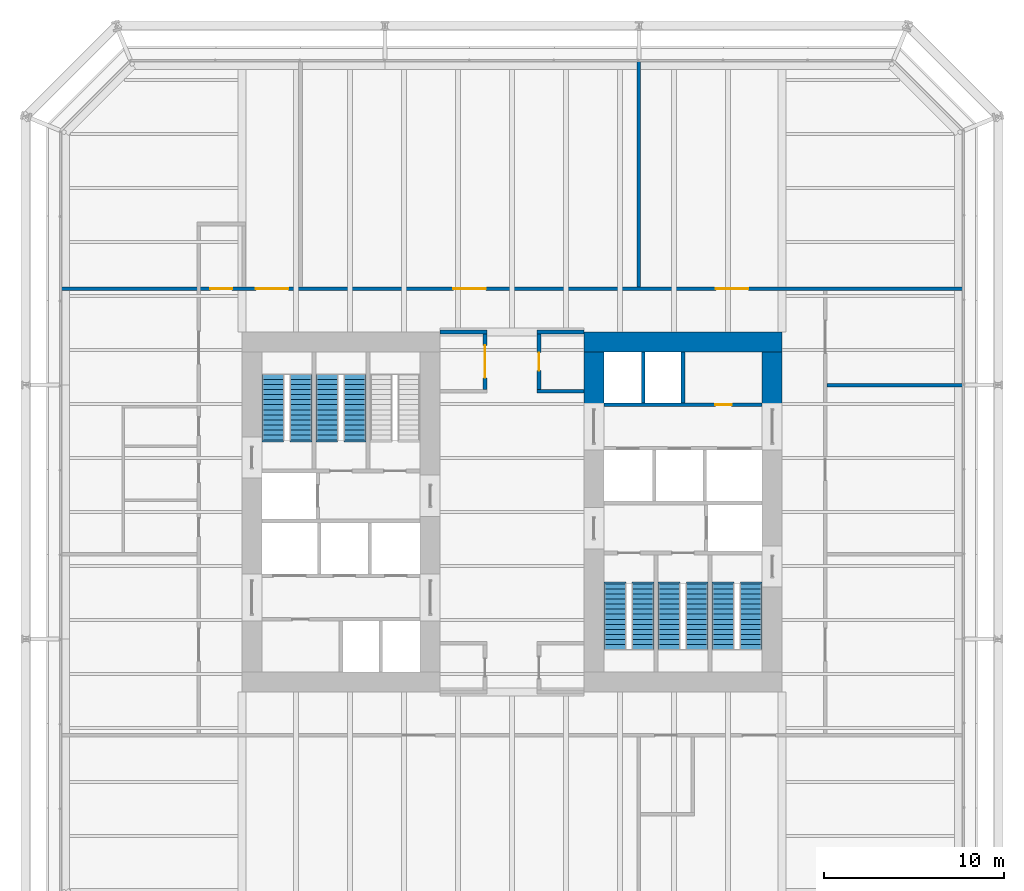
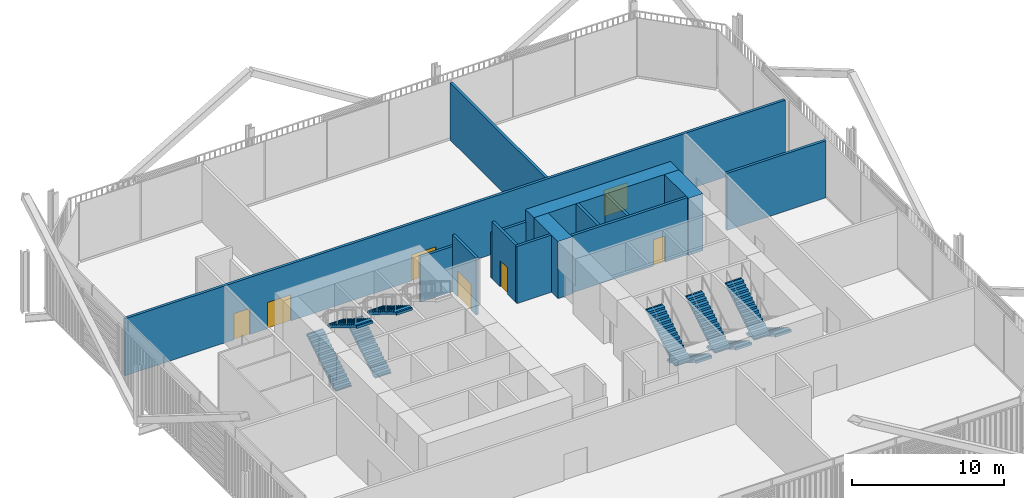
# One storey, part 20 of 22: 14 walls, 10 stair flights, 7 doors, 7 openings, 5 elements without a shape of their own.
"""IFC4 building model written with IfcOpenShell, lengths in metres."""

from ifc_helpers import new_model, si_unit, direction, frame, frame_2d, origin, place, context, subcontext, project, spatial, polyline, rectangle, outline, extrude, material, layer, layer_set, type_object, element, fill, aggregate, save


model = new_model("IFC4")

# Units and contexts
model_context = context("Model", 3, precision=1e-05, world=origin(), true_north=direction((0.0, 1.0)))
body_context = subcontext(model_context, "Body", "Model", "MODEL_VIEW")
ifc_project = project(units=[si_unit("LENGTHUNIT", "METRE"), si_unit("AREAUNIT", "SQUARE_METRE"), si_unit("VOLUMEUNIT", "CUBIC_METRE"), si_unit("PLANEANGLEUNIT", "RADIAN"), si_unit("MASSUNIT", "GRAM", prefix="KILO")], contexts=[model_context])

# Site, building, storey
site_placement = place(None, origin())
site = spatial("IfcSite", under=ifc_project, at=site_placement, CompositionType="ELEMENT")
building_placement = place(site_placement, origin())
building = spatial("IfcBuilding", under=site, at=building_placement, Name="Millrace Tower", CompositionType="ELEMENT")
storey_placement = place(building_placement, frame((0.0, 0.0, 54.5)))
storey = spatial("IfcBuildingStorey", under=building, at=storey_placement, Name="L12", CompositionType="ELEMENT", Elevation=54.5)

# Walls
ifc_material_1 = material(Name="Concrete C80", Category="concrete")
ifc_layer_1 = layer(ifc_material_1, 1.10009765625)
ifc_layer_set_1 = layer_set([ifc_layer_1], Name="Concrete C80")
wall_type_1 = type_object("IfcWallType", Name="Core wall 1100 Concrete C80", PredefinedType="SHEAR", material=ifc_layer_set_1)
wall_1_placement = place(storey_placement, frame((15.0, 9.449951171875, 0.0), z_axis=(0.0, 0.0, 1.0), x_axis=(-1.0, 0.0, 0.0)))
element("IfcWall", 1, at=wall_1_placement, inside=storey, type_object=wall_type_1, Name="Core wall E L12", PredefinedType="SHEAR", context=body_context, shape_type="SweptSolid", body=[
    extrude(rectangle(XDim=11.0, YDim=1.10009765625, at=frame_2d((5.5, 0.0))), origin(), (0.0, 0.0, 1.0), 4.574951171875),
])
for number, where, z_axis, x_axis, name in (
    (2, (14.449951171875, 8.89990234375, 0.0), (0.0, 0.0, 1.0), (0.0, -1.0, 0.0), "Core wall E L12"),
    (3, (4.550048828125, 8.89990234375, 0.0), (0.0, 0.0, 1.0), (0.0, -1.0, 0.0), "Core wall E L12"),
):
    element("IfcWall", number, at=place(storey_placement, frame(where, z_axis=z_axis, x_axis=x_axis)), inside=storey, type_object=wall_type_1, Name=name, PredefinedType="SHEAR", context=body_context, shape_type="SweptSolid", body=[
        extrude(rectangle(XDim=3.14990234375, YDim=1.10009765625, at=frame_2d((1.574951171875, 0.0))), origin(), (0.0, 0.0, 1.0), 4.574951171875),
    ])
ifc_material_2 = material(Name="Masonry partition, fire-rated", Category="masonry")
ifc_layer_2 = layer(ifc_material_2, 0.199951171875)
ifc_layer_set_2 = layer_set([ifc_layer_2], Name="Masonry partition, fire-rated")
wall_type_2 = type_object("IfcWallType", Name="Corridor wall 200", PredefinedType="PARTITIONING", material=ifc_layer_set_2)
wall_2_placement = place(storey_placement, frame((1.39990234375, 6.699951171875, 0.0), z_axis=(0.0, 0.0, 1.0), x_axis=(1.0, 0.0, 0.0)))
element("IfcWall", 4, at=wall_2_placement, inside=storey, type_object=wall_type_2, Name="Corridor wall L12", PredefinedType="PARTITIONING", context=body_context, shape_type="SweptSolid", body=[
    extrude(rectangle(XDim=2.60009765625, YDim=0.199951171875, at=frame_2d((1.300048828125, 0.0))), origin(), (0.0, 0.0, 1.0), 4.574951171875),
])
wall_3_placement = place(storey_placement, frame((17.5, 7.050048828125, 0.0), z_axis=(0.0, 0.0, 1.0), x_axis=(1.0, 0.0, 0.0)))
element("IfcWall", 5, at=wall_3_placement, inside=storey, type_object=wall_type_2, Name="Corridor wall L12", PredefinedType="PARTITIONING", context=body_context, shape_type="SweptSolid", body=[
    extrude(rectangle(XDim=7.530029296875, YDim=0.199951171875, at=frame_2d((3.76513671875, 0.0))), origin(), (0.0, 0.0, 1.0), 4.574951171875),
])
for number, where, z_axis, x_axis, name in (
    (6, (-4.0, 10.0, 0.0), (0.0, 0.0, 1.0), (1.0, 0.0, 0.0), "Corridor wall L12"),
    (7, (1.39990234375, 10.0, 0.0), (0.0, 0.0, 1.0), (1.0, 0.0, 0.0), "Corridor wall L12"),
):
    element("IfcWall", number, at=place(storey_placement, frame(where, z_axis=z_axis, x_axis=x_axis)), inside=storey, type_object=wall_type_2, Name=name, PredefinedType="PARTITIONING", context=body_context, shape_type="SweptSolid", body=[
        extrude(rectangle(XDim=2.60009765625, YDim=0.199951171875, at=frame_2d((1.300048828125, 0.0))), origin(), (0.0, 0.0, 1.0), 3.627685546875),
    ])

# Wall, openings, doors
wall_4_placement = place(storey_placement, frame((-25.030029296875, 12.39990234375, 0.0), z_axis=(0.0, 0.0, 1.0), x_axis=(1.0, 0.0, 0.0)))
wall_4 = element("IfcWall", 8, at=wall_4_placement, inside=storey, type_object=wall_type_2, Name="Corridor wall L12", PredefinedType="PARTITIONING", context=body_context, shape_type="SweptSolid", body=[
    extrude(rectangle(XDim=50.06005859375, YDim=0.199951171875, at=frame_2d((25.030029296875, 0.0))), origin(), (0.0, 0.0, 1.0), 4.574951171875),
])
opening_1_placement = place(wall_4_placement, frame((10.804931640625, 0.0, 0.0)))
opening_1 = element("IfcOpeningElement", 9, at=opening_1_placement, cuts=wall_4, Name="Opening 12-P008", PredefinedType="OPENING", context=body_context, shape_type="SweptSolid", body=[
    extrude(rectangle(XDim=1.800048828125, YDim=2.10009765625, at=frame_2d((0.89990234375, 1.050048828125))), frame((0.0, 0.10986328125, 0.0), z_axis=(0.0, -1.0, 0.0), x_axis=(1.0, 0.0, 0.0)), (0.0, 0.0, 1.0), 0.219970703125),
])
opening_2_placement = place(wall_4_placement, frame((8.280029296875, 0.0, 0.0)))
opening_2 = element("IfcOpeningElement", 10, at=opening_2_placement, cuts=wall_4, Name="Opening 12-P009", PredefinedType="OPENING", context=body_context, shape_type="SweptSolid", body=[
    extrude(rectangle(XDim=1.199951171875, YDim=2.10009765625, at=frame_2d((0.60009765625, 1.050048828125))), frame((0.0, 0.10986328125, 0.0), z_axis=(0.0, -1.0, 0.0), x_axis=(1.0, 0.0, 0.0)), (0.0, 0.0, 1.0), 0.219970703125),
])
opening_3_placement = place(wall_4_placement, frame((21.780029296875, 0.0, 0.0)))
opening_3 = element("IfcOpeningElement", 11, at=opening_3_placement, cuts=wall_4, Name="Opening 12-P010", PredefinedType="OPENING", context=body_context, shape_type="SweptSolid", body=[
    extrude(rectangle(XDim=1.800048828125, YDim=2.10009765625, at=frame_2d((0.89990234375, 1.050048828125))), frame((0.0, 0.10986328125, 0.0), z_axis=(0.0, -1.0, 0.0), x_axis=(1.0, 0.0, 0.0)), (0.0, 0.0, 1.0), 0.219970703125),
])
opening_4_placement = place(wall_4_placement, frame((36.360107421875, 0.0, 0.0)))
opening_4 = element("IfcOpeningElement", 12, at=opening_4_placement, cuts=wall_4, Name="Opening 12-P011", PredefinedType="OPENING", context=body_context, shape_type="SweptSolid", body=[
    extrude(rectangle(XDim=1.800048828125, YDim=2.10009765625, at=frame_2d((0.89990234375, 1.050048828125))), frame((0.0, 0.10986328125, 0.0), z_axis=(0.0, -1.0, 0.0), x_axis=(1.0, 0.0, 0.0)), (0.0, 0.0, 1.0), 0.219970703125),
])
ifc_material_3 = material(Name="Steel door set, fire-rated", Category="steel")
door_type_1 = type_object("IfcDoorType", Name="Corridor door 1200 x 2100", OperationType="SINGLE_SWING_LEFT", PredefinedType="DOOR", material=ifc_material_3)
door_1_placement = place(opening_2_placement, origin())
door_1 = element("IfcDoor", 13, at=door_1_placement, inside=storey, type_object=door_type_1, Name="Door 12-P009", OperationType="SINGLE_SWING_LEFT", OverallHeight=2.10009765625, OverallWidth=1.199951171875, PredefinedType="DOOR", context=body_context, shape_type="SweptSolid", body=[
    extrude(rectangle(XDim=1.199951171875, YDim=2.10009765625, at=frame_2d((0.60009765625, 1.050048828125))), frame((0.0, 0.02490234375, 0.0), z_axis=(0.0, -1.0, 0.0), x_axis=(1.0, 0.0, 0.0)), (0.0, 0.0, 1.0), 0.050048828125),
])
fill(opening_2, door_1)
ifc_material_4 = material(Name="Steel door set, fire-rated", Category="steel")
door_type_2 = type_object("IfcDoorType", Name="Data hall door 1800 x 2100", OperationType="DOUBLE_DOOR_SINGLE_SWING", PredefinedType="DOOR", material=ifc_material_4)
door_2_placement = place(opening_1_placement, origin())
door_2 = element("IfcDoor", 14, at=door_2_placement, inside=storey, type_object=door_type_2, Name="Door 12-P008", OperationType="DOUBLE_DOOR_SINGLE_SWING", OverallHeight=2.10009765625, OverallWidth=1.800048828125, PredefinedType="DOOR", context=body_context, shape_type="SweptSolid", body=[
    extrude(rectangle(XDim=1.800048828125, YDim=2.10009765625, at=frame_2d((0.89990234375, 1.050048828125))), frame((0.0, 0.02490234375, 0.0), z_axis=(0.0, -1.0, 0.0), x_axis=(1.0, 0.0, 0.0)), (0.0, 0.0, 1.0), 0.050048828125),
])
fill(opening_1, door_2)
door_3_placement = place(opening_3_placement, origin())
door_3 = element("IfcDoor", 15, at=door_3_placement, inside=storey, type_object=door_type_2, Name="Door 12-P010", OperationType="DOUBLE_DOOR_SINGLE_SWING", OverallHeight=2.10009765625, OverallWidth=1.800048828125, PredefinedType="DOOR", context=body_context, shape_type="SweptSolid", body=[
    extrude(rectangle(XDim=1.800048828125, YDim=2.10009765625, at=frame_2d((0.89990234375, 1.050048828125))), frame((0.0, 0.02490234375, 0.0), z_axis=(0.0, -1.0, 0.0), x_axis=(1.0, 0.0, 0.0)), (0.0, 0.0, 1.0), 0.050048828125),
])
fill(opening_3, door_3)
door_4_placement = place(opening_4_placement, origin())
door_4 = element("IfcDoor", 16, at=door_4_placement, inside=storey, type_object=door_type_2, Name="Door 12-P011", OperationType="DOUBLE_DOOR_SINGLE_SWING", OverallHeight=2.10009765625, OverallWidth=1.800048828125, PredefinedType="DOOR", context=body_context, shape_type="SweptSolid", body=[
    extrude(rectangle(XDim=1.800048828125, YDim=2.10009765625, at=frame_2d((0.89990234375, 1.050048828125))), frame((0.0, 0.02490234375, 0.0), z_axis=(0.0, -1.0, 0.0), x_axis=(1.0, 0.0, 0.0)), (0.0, 0.0, 1.0), 0.050048828125),
])
fill(opening_4, door_4)

# Wall
wall_5_placement = place(storey_placement, frame((7.050048828125, 12.5, 0.0), z_axis=(0.0, 0.0, 1.0), x_axis=(0.0, 1.0, 0.0)))
element("IfcWall", 17, at=wall_5_placement, inside=storey, type_object=wall_type_2, Name="Corridor wall L12", PredefinedType="PARTITIONING", context=body_context, shape_type="SweptSolid", body=[
    extrude(rectangle(XDim=12.530029296875, YDim=0.199951171875, at=frame_2d((6.26513671875, 0.0))), origin(), (0.0, 0.0, 1.0), 4.574951171875),
])

# Wall, opening, door
wall_6_placement = place(storey_placement, frame((1.5, 6.800048828125, 0.0), z_axis=(0.0, 0.0, 1.0), x_axis=(0.0, 1.0, 0.0)))
wall_6 = element("IfcWall", 18, at=wall_6_placement, inside=storey, type_object=wall_type_2, Name="Corridor wall L12", PredefinedType="PARTITIONING", context=body_context, shape_type="SweptSolid", body=[
    extrude(rectangle(XDim=3.099853515625, YDim=0.199951171875, at=frame_2d((1.5498046875, 0.0))), origin(), (0.0, 0.0, 1.0), 4.574951171875),
])
opening_5_placement = place(wall_6_placement, frame((1.050048828125, 0.0, 0.0)))
opening_5 = element("IfcOpeningElement", 19, at=opening_5_placement, cuts=wall_6, Name="Opening 12-P002", PredefinedType="OPENING", context=body_context, shape_type="SweptSolid", body=[
    extrude(rectangle(XDim=1.0, YDim=2.10009765625, at=frame_2d((0.5, 1.050048828125))), frame((0.0, 0.10986328125, 0.0), z_axis=(0.0, -1.0, 0.0), x_axis=(1.0, 0.0, 0.0)), (0.0, 0.0, 1.0), 0.219970703125),
])
ifc_material_5 = material(Name="Steel door set, fire-rated", Category="steel")
door_type_3 = type_object("IfcDoorType", Name="Corridor door 1000 x 2100", OperationType="SINGLE_SWING_LEFT", PredefinedType="DOOR", material=ifc_material_5)
door_5_placement = place(opening_5_placement, frame((1.0, 0.0, 0.0), z_axis=(0.0, 0.0, 1.0), x_axis=(-1.0, 0.0, 0.0)))
door_5 = element("IfcDoor", 20, at=door_5_placement, inside=storey, type_object=door_type_3, Name="Door 12-P002", OperationType="SINGLE_SWING_LEFT", OverallHeight=2.10009765625, OverallWidth=1.0, PredefinedType="DOOR", context=body_context, shape_type="SweptSolid", body=[
    extrude(rectangle(XDim=1.0, YDim=2.10009765625, at=frame_2d((0.5, 1.050048828125))), frame((0.0, 0.02490234375, 0.0), z_axis=(0.0, -1.0, 0.0), x_axis=(1.0, 0.0, 0.0)), (0.0, 0.0, 1.0), 0.050048828125),
])
fill(opening_5, door_5)

wall_7_placement = place(storey_placement, frame((-1.5, 6.800048828125, 0.0), z_axis=(0.0, 0.0, 1.0), x_axis=(0.0, 1.0, 0.0)))
wall_7 = element("IfcWall", 21, at=wall_7_placement, inside=storey, type_object=wall_type_2, Name="Corridor wall L12", PredefinedType="PARTITIONING", context=body_context, shape_type="SweptSolid", body=[
    extrude(rectangle(XDim=3.099853515625, YDim=0.199951171875, at=frame_2d((1.5498046875, 0.0))), origin(), (0.0, 0.0, 1.0), 4.574951171875),
])
opening_6_placement = place(wall_7_placement, frame((0.64990234375, 0.0, 0.0)))
opening_6 = element("IfcOpeningElement", 22, at=opening_6_placement, cuts=wall_7, Name="Opening 12-P001", PredefinedType="OPENING", context=body_context, shape_type="SweptSolid", body=[
    extrude(rectangle(XDim=1.800048828125, YDim=2.10009765625, at=frame_2d((0.89990234375, 1.050048828125))), frame((0.0, 0.10986328125, 0.0), z_axis=(0.0, -1.0, 0.0), x_axis=(1.0, 0.0, 0.0)), (0.0, 0.0, 1.0), 0.219970703125),
])
door_6_placement = place(opening_6_placement, origin())
door_6 = element("IfcDoor", 23, at=door_6_placement, inside=storey, type_object=door_type_2, Name="Door 12-P001", OperationType="DOUBLE_DOOR_SINGLE_SWING", OverallHeight=2.10009765625, OverallWidth=1.800048828125, PredefinedType="DOOR", context=body_context, shape_type="SweptSolid", body=[
    extrude(rectangle(XDim=1.800048828125, YDim=2.10009765625, at=frame_2d((0.89990234375, 1.050048828125))), frame((0.0, 0.02490234375, 0.0), z_axis=(0.0, -1.0, 0.0), x_axis=(1.0, 0.0, 0.0)), (0.0, 0.0, 1.0), 0.050048828125),
])
fill(opening_6, door_6)

ifc_material_6 = material(Name="Masonry partition, fire-rated", Category="masonry")
ifc_layer_3 = layer(ifc_material_6, 0.199951171875)
ifc_layer_set_3 = layer_set([ifc_layer_3], Name="Masonry partition, fire-rated")
wall_type_3 = type_object("IfcWallType", Name="Lift shaft wall 200", PredefinedType="PARTITIONING", material=ifc_layer_set_3)
wall_8_placement = place(storey_placement, frame((13.89990234375, 5.949951171875, 0.0), z_axis=(0.0, 0.0, 1.0), x_axis=(-1.0, 0.0, 0.0)))
wall_8 = element("IfcWall", 24, at=wall_8_placement, inside=storey, type_object=wall_type_3, Name="Lift shaft wall E L12", PredefinedType="PARTITIONING", context=body_context, shape_type="SweptSolid", body=[
    extrude(rectangle(XDim=8.7998046875, YDim=0.199951171875, at=frame_2d((4.39990234375, 0.0))), origin(), (0.0, 0.0, 1.0), 4.574951171875),
])
opening_7_placement = place(wall_8_placement, frame((1.699951171875, 0.0, 0.0)))
opening_7 = element("IfcOpeningElement", 25, at=opening_7_placement, cuts=wall_8, Name="Opening 12-C012", PredefinedType="OPENING", context=body_context, shape_type="SweptSolid", body=[
    extrude(rectangle(XDim=0.89990234375, YDim=2.10009765625, at=frame_2d((0.449951171875, 1.050048828125))), frame((0.0, 0.10986328125, 0.0), z_axis=(0.0, -1.0, 0.0), x_axis=(1.0, 0.0, 0.0)), (0.0, 0.0, 1.0), 0.219970703125),
])
ifc_material_7 = material(Name="Steel door, fire-rated", Category="steel")
door_type_4 = type_object("IfcDoorType", Name="Service room door 900 x 2100", OperationType="SINGLE_SWING_LEFT", PredefinedType="DOOR", material=ifc_material_7)
door_7_placement = place(opening_7_placement, frame((0.89990234375, 0.0, 0.0), z_axis=(0.0, 0.0, 1.0), x_axis=(-1.0, 0.0, 0.0)))
door_7 = element("IfcDoor", 26, at=door_7_placement, inside=storey, type_object=door_type_4, Name="Service room door 12-C012", OperationType="SINGLE_SWING_RIGHT", OverallHeight=2.10009765625, OverallWidth=0.89990234375, PredefinedType="DOOR", context=body_context, shape_type="SweptSolid", body=[
    extrude(rectangle(XDim=0.89990234375, YDim=2.10009765625, at=frame_2d((0.449951171875, 1.050048828125))), frame((0.0, 0.02490234375, 0.0), z_axis=(0.0, -1.0, 0.0), x_axis=(1.0, 0.0, 0.0)), (0.0, 0.0, 1.0), 0.050048828125),
])
fill(opening_7, door_7)

# Walls
for number, where, z_axis, x_axis, name in (
    (27, (9.5, 8.89990234375, 0.0), (0.0, 0.0, 1.0), (0.0, -1.0, 0.0), "Lift shaft wall E L12"),
    (28, (7.300048828125, 8.89990234375, 0.0), (0.0, 0.0, 1.0), (0.0, -1.0, 0.0), "Lift shaft wall E L12"),
):
    element("IfcWall", number, at=place(storey_placement, frame(where, z_axis=z_axis, x_axis=x_axis)), inside=storey, type_object=wall_type_3, Name=name, PredefinedType="PARTITIONING", context=body_context, shape_type="SweptSolid", body=[
        extrude(rectangle(XDim=2.849853515625, YDim=0.199951171875, at=frame_2d((1.4248046875, 0.0))), origin(), (0.0, 0.0, 1.0), 4.574951171875),
    ])

# Stair, stair flights
ifc_material_8 = material(Name="Concrete C35", Category="concrete")
stair_type = type_object("IfcStairType", Name="Exit stair", PredefinedType="HALF_TURN_STAIR", material=ifc_material_8)
placement = place(storey_placement, origin())
stair_1 = element("IfcStair", 29, at=placement, inside=storey, type_object=stair_type, Name="Stair 1 W L12", PredefinedType="HALF_TURN_STAIR")
ifc_material_9 = material(Name="Concrete C35", Category="concrete")
stair_flight_type = type_object("IfcStairFlightType", Name="Exit stair flight", PredefinedType="STRAIGHT", material=ifc_material_9)
stair_flight_1_placement = place(storey_placement, frame((-13.2900390625, 4.0, 0.0), z_axis=(0.0, 0.0, 1.0), x_axis=(0.0, 1.0, 0.0)))
stair_flight_1 = element("IfcStairFlight", 30, at=stair_flight_1_placement, type_object=stair_flight_type, Name="ST12 flight 1", NumberOfRisers=14, NumberOfTreads=13, PredefinedType="STRAIGHT", RiserHeight=0.171428571, TreadLength=0.28, context=body_context, shape_type="SweptSolid", body=[
    extrude(outline(polyline([(-0.1201171875, -0.0400390625), (-0.1201171875, 0.0), (0.0, 0.0), (0.0, 0.17138671875), (0.280029296875, 0.17138671875), (0.280029296875, 0.3427734375), (0.56005859375, 0.3427734375), (0.56005859375, 0.514404296875), (0.840087890625, 0.514404296875), (0.840087890625, 0.685791015625), (1.1201171875, 0.685791015625), (1.1201171875, 0.857177734375), (1.39990234375, 0.857177734375), (1.39990234375, 1.028564453125), (1.679931640625, 1.028564453125), (1.679931640625, 1.199951171875), (1.9599609375, 1.199951171875), (1.9599609375, 1.371337890625), (2.239990234375, 1.371337890625), (2.239990234375, 1.54296875), (2.52001953125, 1.54296875), (2.52001953125, 1.71435546875), (2.800048828125, 1.71435546875), (2.800048828125, 1.8857421875), (3.080078125, 1.8857421875), (3.080078125, 2.05712890625), (3.360107421875, 2.05712890625), (3.360107421875, 2.228515625), (3.639892578125, 2.228515625), (3.639892578125, 2.24853515625), (3.760009765625, 2.24853515625), (3.760009765625, 2.052734375), (3.639892578125, 2.052734375), (0.287109375, 0.0), (0.287109375, -0.0400390625), (-0.1201171875, -0.0400390625)])), frame((0.0, 0.60986328125, 0.0), z_axis=(0.0, -1.0, 0.0), x_axis=(1.0, 0.0, 0.0)), (0.0, 0.0, 1.0), 1.219970703125),
])
stair_flight_2_placement = place(storey_placement, frame((-11.7099609375, 7.639892578125, 2.39990234375), z_axis=(0.0, 0.0, 1.0), x_axis=(0.0, -1.0, 0.0)))
stair_flight_2 = element("IfcStairFlight", 31, at=stair_flight_2_placement, type_object=stair_flight_type, Name="ST12 flight 2", NumberOfRisers=14, NumberOfTreads=13, PredefinedType="STRAIGHT", RiserHeight=0.171428571, TreadLength=0.28, context=body_context, shape_type="SweptSolid", body=[
    extrude(outline(polyline([(-0.1201171875, -0.0400390625), (-0.1201171875, 0.0), (0.0, 0.0), (0.0, 0.17138671875), (0.280029296875, 0.17138671875), (0.280029296875, 0.3427734375), (0.56005859375, 0.3427734375), (0.56005859375, 0.514404296875), (0.840087890625, 0.514404296875), (0.840087890625, 0.685791015625), (1.1201171875, 0.685791015625), (1.1201171875, 0.857177734375), (1.39990234375, 0.857177734375), (1.39990234375, 1.028564453125), (1.679931640625, 1.028564453125), (1.679931640625, 1.199951171875), (1.9599609375, 1.199951171875), (1.9599609375, 1.371337890625), (2.239990234375, 1.371337890625), (2.239990234375, 1.54296875), (2.52001953125, 1.54296875), (2.52001953125, 1.71435546875), (2.800048828125, 1.71435546875), (2.800048828125, 1.8857421875), (3.080078125, 1.8857421875), (3.080078125, 2.05712890625), (3.360107421875, 2.05712890625), (3.360107421875, 2.228515625), (3.639892578125, 2.228515625), (3.639892578125, 2.24853515625), (3.760009765625, 2.24853515625), (3.760009765625, 2.052734375), (3.639892578125, 2.052734375), (0.287109375, 0.0), (0.287109375, -0.0400390625), (-0.1201171875, -0.0400390625)])), frame((0.0, 0.60986328125, 0.0), z_axis=(0.0, -1.0, 0.0), x_axis=(1.0, 0.0, 0.0)), (0.0, 0.0, 1.0), 1.219970703125),
])
aggregate(stair_1, [stair_flight_1, stair_flight_2])

stair_2 = element("IfcStair", 32, at=placement, inside=storey, type_object=stair_type, Name="Stair 2 W L12", PredefinedType="HALF_TURN_STAIR")
stair_flight_3_placement = place(storey_placement, frame((-10.2900390625, 4.0, 0.0), z_axis=(0.0, 0.0, 1.0), x_axis=(0.0, 1.0, 0.0)))
stair_flight_3 = element("IfcStairFlight", 33, at=stair_flight_3_placement, type_object=stair_flight_type, Name="ST12 flight 1", NumberOfRisers=14, NumberOfTreads=13, PredefinedType="STRAIGHT", RiserHeight=0.171428571, TreadLength=0.28, context=body_context, shape_type="SweptSolid", body=[
    extrude(outline(polyline([(-0.1201171875, -0.0400390625), (-0.1201171875, 0.0), (0.0, 0.0), (0.0, 0.17138671875), (0.280029296875, 0.17138671875), (0.280029296875, 0.3427734375), (0.56005859375, 0.3427734375), (0.56005859375, 0.514404296875), (0.840087890625, 0.514404296875), (0.840087890625, 0.685791015625), (1.1201171875, 0.685791015625), (1.1201171875, 0.857177734375), (1.39990234375, 0.857177734375), (1.39990234375, 1.028564453125), (1.679931640625, 1.028564453125), (1.679931640625, 1.199951171875), (1.9599609375, 1.199951171875), (1.9599609375, 1.371337890625), (2.239990234375, 1.371337890625), (2.239990234375, 1.54296875), (2.52001953125, 1.54296875), (2.52001953125, 1.71435546875), (2.800048828125, 1.71435546875), (2.800048828125, 1.8857421875), (3.080078125, 1.8857421875), (3.080078125, 2.05712890625), (3.360107421875, 2.05712890625), (3.360107421875, 2.228515625), (3.639892578125, 2.228515625), (3.639892578125, 2.24853515625), (3.760009765625, 2.24853515625), (3.760009765625, 2.052734375), (3.639892578125, 2.052734375), (0.287109375, 0.0), (0.287109375, -0.0400390625), (-0.1201171875, -0.0400390625)])), frame((0.0, 0.60986328125, 0.0), z_axis=(0.0, -1.0, 0.0), x_axis=(1.0, 0.0, 0.0)), (0.0, 0.0, 1.0), 1.219970703125),
])
stair_flight_4_placement = place(storey_placement, frame((-8.7099609375, 7.639892578125, 2.39990234375), z_axis=(0.0, 0.0, 1.0), x_axis=(0.0, -1.0, 0.0)))
stair_flight_4 = element("IfcStairFlight", 34, at=stair_flight_4_placement, type_object=stair_flight_type, Name="ST12 flight 2", NumberOfRisers=14, NumberOfTreads=13, PredefinedType="STRAIGHT", RiserHeight=0.171428571, TreadLength=0.28, context=body_context, shape_type="SweptSolid", body=[
    extrude(outline(polyline([(-0.1201171875, -0.0400390625), (-0.1201171875, 0.0), (0.0, 0.0), (0.0, 0.17138671875), (0.280029296875, 0.17138671875), (0.280029296875, 0.3427734375), (0.56005859375, 0.3427734375), (0.56005859375, 0.514404296875), (0.840087890625, 0.514404296875), (0.840087890625, 0.685791015625), (1.1201171875, 0.685791015625), (1.1201171875, 0.857177734375), (1.39990234375, 0.857177734375), (1.39990234375, 1.028564453125), (1.679931640625, 1.028564453125), (1.679931640625, 1.199951171875), (1.9599609375, 1.199951171875), (1.9599609375, 1.371337890625), (2.239990234375, 1.371337890625), (2.239990234375, 1.54296875), (2.52001953125, 1.54296875), (2.52001953125, 1.71435546875), (2.800048828125, 1.71435546875), (2.800048828125, 1.8857421875), (3.080078125, 1.8857421875), (3.080078125, 2.05712890625), (3.360107421875, 2.05712890625), (3.360107421875, 2.228515625), (3.639892578125, 2.228515625), (3.639892578125, 2.24853515625), (3.760009765625, 2.24853515625), (3.760009765625, 2.052734375), (3.639892578125, 2.052734375), (0.287109375, 0.0), (0.287109375, -0.0400390625), (-0.1201171875, -0.0400390625)])), frame((0.0, 0.60986328125, 0.0), z_axis=(0.0, -1.0, 0.0), x_axis=(1.0, 0.0, 0.0)), (0.0, 0.0, 1.0), 1.219970703125),
])
aggregate(stair_2, [stair_flight_3, stair_flight_4])

stair_3 = element("IfcStair", 35, at=placement, inside=storey, type_object=stair_type, Name="Stair 1 E L12", PredefinedType="HALF_TURN_STAIR")
stair_flight_5_placement = place(storey_placement, frame((13.2900390625, -4.0, 0.0), z_axis=(0.0, 0.0, 1.0), x_axis=(0.0, -1.0, 0.0)))
stair_flight_5 = element("IfcStairFlight", 36, at=stair_flight_5_placement, type_object=stair_flight_type, Name="ST12 flight 1", NumberOfRisers=14, NumberOfTreads=13, PredefinedType="STRAIGHT", RiserHeight=0.171428571, TreadLength=0.28, context=body_context, shape_type="SweptSolid", body=[
    extrude(outline(polyline([(-0.1201171875, -0.0400390625), (-0.1201171875, 0.0), (0.0, 0.0), (0.0, 0.17138671875), (0.280029296875, 0.17138671875), (0.280029296875, 0.3427734375), (0.56005859375, 0.3427734375), (0.56005859375, 0.514404296875), (0.840087890625, 0.514404296875), (0.840087890625, 0.685791015625), (1.1201171875, 0.685791015625), (1.1201171875, 0.857177734375), (1.39990234375, 0.857177734375), (1.39990234375, 1.028564453125), (1.679931640625, 1.028564453125), (1.679931640625, 1.199951171875), (1.9599609375, 1.199951171875), (1.9599609375, 1.371337890625), (2.239990234375, 1.371337890625), (2.239990234375, 1.54296875), (2.52001953125, 1.54296875), (2.52001953125, 1.71435546875), (2.800048828125, 1.71435546875), (2.800048828125, 1.8857421875), (3.080078125, 1.8857421875), (3.080078125, 2.05712890625), (3.360107421875, 2.05712890625), (3.360107421875, 2.228515625), (3.639892578125, 2.228515625), (3.639892578125, 2.24853515625), (3.760009765625, 2.24853515625), (3.760009765625, 2.052734375), (3.639892578125, 2.052734375), (0.287109375, 0.0), (0.287109375, -0.0400390625), (-0.1201171875, -0.0400390625)])), frame((0.0, 0.60986328125, 0.0), z_axis=(0.0, -1.0, 0.0), x_axis=(1.0, 0.0, 0.0)), (0.0, 0.0, 1.0), 1.219970703125),
])
stair_flight_6_placement = place(storey_placement, frame((11.7099609375, -7.639892578125, 2.39990234375), z_axis=(0.0, 0.0, 1.0), x_axis=(0.0, 1.0, 0.0)))
stair_flight_6 = element("IfcStairFlight", 37, at=stair_flight_6_placement, type_object=stair_flight_type, Name="ST12 flight 2", NumberOfRisers=14, NumberOfTreads=13, PredefinedType="STRAIGHT", RiserHeight=0.171428571, TreadLength=0.28, context=body_context, shape_type="SweptSolid", body=[
    extrude(outline(polyline([(-0.1201171875, -0.0400390625), (-0.1201171875, 0.0), (0.0, 0.0), (0.0, 0.17138671875), (0.280029296875, 0.17138671875), (0.280029296875, 0.3427734375), (0.56005859375, 0.3427734375), (0.56005859375, 0.514404296875), (0.840087890625, 0.514404296875), (0.840087890625, 0.685791015625), (1.1201171875, 0.685791015625), (1.1201171875, 0.857177734375), (1.39990234375, 0.857177734375), (1.39990234375, 1.028564453125), (1.679931640625, 1.028564453125), (1.679931640625, 1.199951171875), (1.9599609375, 1.199951171875), (1.9599609375, 1.371337890625), (2.239990234375, 1.371337890625), (2.239990234375, 1.54296875), (2.52001953125, 1.54296875), (2.52001953125, 1.71435546875), (2.800048828125, 1.71435546875), (2.800048828125, 1.8857421875), (3.080078125, 1.8857421875), (3.080078125, 2.05712890625), (3.360107421875, 2.05712890625), (3.360107421875, 2.228515625), (3.639892578125, 2.228515625), (3.639892578125, 2.24853515625), (3.760009765625, 2.24853515625), (3.760009765625, 2.052734375), (3.639892578125, 2.052734375), (0.287109375, 0.0), (0.287109375, -0.0400390625), (-0.1201171875, -0.0400390625)])), frame((0.0, 0.60986328125, 0.0), z_axis=(0.0, -1.0, 0.0), x_axis=(1.0, 0.0, 0.0)), (0.0, 0.0, 1.0), 1.219970703125),
])
aggregate(stair_3, [stair_flight_5, stair_flight_6])

stair_4 = element("IfcStair", 38, at=placement, inside=storey, type_object=stair_type, Name="Stair 2 E L12", PredefinedType="HALF_TURN_STAIR")
stair_flight_7_placement = place(storey_placement, frame((10.2900390625, -4.0, 0.0), z_axis=(0.0, 0.0, 1.0), x_axis=(0.0, -1.0, 0.0)))
stair_flight_7 = element("IfcStairFlight", 39, at=stair_flight_7_placement, type_object=stair_flight_type, Name="ST12 flight 1", NumberOfRisers=14, NumberOfTreads=13, PredefinedType="STRAIGHT", RiserHeight=0.171428571, TreadLength=0.28, context=body_context, shape_type="SweptSolid", body=[
    extrude(outline(polyline([(-0.1201171875, -0.0400390625), (-0.1201171875, 0.0), (0.0, 0.0), (0.0, 0.17138671875), (0.280029296875, 0.17138671875), (0.280029296875, 0.3427734375), (0.56005859375, 0.3427734375), (0.56005859375, 0.514404296875), (0.840087890625, 0.514404296875), (0.840087890625, 0.685791015625), (1.1201171875, 0.685791015625), (1.1201171875, 0.857177734375), (1.39990234375, 0.857177734375), (1.39990234375, 1.028564453125), (1.679931640625, 1.028564453125), (1.679931640625, 1.199951171875), (1.9599609375, 1.199951171875), (1.9599609375, 1.371337890625), (2.239990234375, 1.371337890625), (2.239990234375, 1.54296875), (2.52001953125, 1.54296875), (2.52001953125, 1.71435546875), (2.800048828125, 1.71435546875), (2.800048828125, 1.8857421875), (3.080078125, 1.8857421875), (3.080078125, 2.05712890625), (3.360107421875, 2.05712890625), (3.360107421875, 2.228515625), (3.639892578125, 2.228515625), (3.639892578125, 2.24853515625), (3.760009765625, 2.24853515625), (3.760009765625, 2.052734375), (3.639892578125, 2.052734375), (0.287109375, 0.0), (0.287109375, -0.0400390625), (-0.1201171875, -0.0400390625)])), frame((0.0, 0.60986328125, 0.0), z_axis=(0.0, -1.0, 0.0), x_axis=(1.0, 0.0, 0.0)), (0.0, 0.0, 1.0), 1.219970703125),
])
stair_flight_8_placement = place(storey_placement, frame((8.7099609375, -7.639892578125, 2.39990234375), z_axis=(0.0, 0.0, 1.0), x_axis=(0.0, 1.0, 0.0)))
stair_flight_8 = element("IfcStairFlight", 40, at=stair_flight_8_placement, type_object=stair_flight_type, Name="ST12 flight 2", NumberOfRisers=14, NumberOfTreads=13, PredefinedType="STRAIGHT", RiserHeight=0.171428571, TreadLength=0.28, context=body_context, shape_type="SweptSolid", body=[
    extrude(outline(polyline([(-0.1201171875, -0.0400390625), (-0.1201171875, 0.0), (0.0, 0.0), (0.0, 0.17138671875), (0.280029296875, 0.17138671875), (0.280029296875, 0.3427734375), (0.56005859375, 0.3427734375), (0.56005859375, 0.514404296875), (0.840087890625, 0.514404296875), (0.840087890625, 0.685791015625), (1.1201171875, 0.685791015625), (1.1201171875, 0.857177734375), (1.39990234375, 0.857177734375), (1.39990234375, 1.028564453125), (1.679931640625, 1.028564453125), (1.679931640625, 1.199951171875), (1.9599609375, 1.199951171875), (1.9599609375, 1.371337890625), (2.239990234375, 1.371337890625), (2.239990234375, 1.54296875), (2.52001953125, 1.54296875), (2.52001953125, 1.71435546875), (2.800048828125, 1.71435546875), (2.800048828125, 1.8857421875), (3.080078125, 1.8857421875), (3.080078125, 2.05712890625), (3.360107421875, 2.05712890625), (3.360107421875, 2.228515625), (3.639892578125, 2.228515625), (3.639892578125, 2.24853515625), (3.760009765625, 2.24853515625), (3.760009765625, 2.052734375), (3.639892578125, 2.052734375), (0.287109375, 0.0), (0.287109375, -0.0400390625), (-0.1201171875, -0.0400390625)])), frame((0.0, 0.60986328125, 0.0), z_axis=(0.0, -1.0, 0.0), x_axis=(1.0, 0.0, 0.0)), (0.0, 0.0, 1.0), 1.219970703125),
])
aggregate(stair_4, [stair_flight_7, stair_flight_8])

stair_5 = element("IfcStair", 41, at=placement, inside=storey, type_object=stair_type, Name="Stair 3 E L12", PredefinedType="HALF_TURN_STAIR")
stair_flight_9_placement = place(storey_placement, frame((7.2900390625, -4.0, 0.0), z_axis=(0.0, 0.0, 1.0), x_axis=(0.0, -1.0, 0.0)))
stair_flight_9 = element("IfcStairFlight", 42, at=stair_flight_9_placement, type_object=stair_flight_type, Name="ST12 flight 1", NumberOfRisers=14, NumberOfTreads=13, PredefinedType="STRAIGHT", RiserHeight=0.171428571, TreadLength=0.28, context=body_context, shape_type="SweptSolid", body=[
    extrude(outline(polyline([(-0.1201171875, -0.0400390625), (-0.1201171875, 0.0), (0.0, 0.0), (0.0, 0.17138671875), (0.280029296875, 0.17138671875), (0.280029296875, 0.3427734375), (0.56005859375, 0.3427734375), (0.56005859375, 0.514404296875), (0.840087890625, 0.514404296875), (0.840087890625, 0.685791015625), (1.1201171875, 0.685791015625), (1.1201171875, 0.857177734375), (1.39990234375, 0.857177734375), (1.39990234375, 1.028564453125), (1.679931640625, 1.028564453125), (1.679931640625, 1.199951171875), (1.9599609375, 1.199951171875), (1.9599609375, 1.371337890625), (2.239990234375, 1.371337890625), (2.239990234375, 1.54296875), (2.52001953125, 1.54296875), (2.52001953125, 1.71435546875), (2.800048828125, 1.71435546875), (2.800048828125, 1.8857421875), (3.080078125, 1.8857421875), (3.080078125, 2.05712890625), (3.360107421875, 2.05712890625), (3.360107421875, 2.228515625), (3.639892578125, 2.228515625), (3.639892578125, 2.24853515625), (3.760009765625, 2.24853515625), (3.760009765625, 2.052734375), (3.639892578125, 2.052734375), (0.287109375, 0.0), (0.287109375, -0.0400390625), (-0.1201171875, -0.0400390625)])), frame((0.0, 0.60986328125, 0.0), z_axis=(0.0, -1.0, 0.0), x_axis=(1.0, 0.0, 0.0)), (0.0, 0.0, 1.0), 1.219970703125),
])
stair_flight_10_placement = place(storey_placement, frame((5.7099609375, -7.639892578125, 2.39990234375), z_axis=(0.0, 0.0, 1.0), x_axis=(0.0, 1.0, 0.0)))
stair_flight_10 = element("IfcStairFlight", 43, at=stair_flight_10_placement, type_object=stair_flight_type, Name="ST12 flight 2", NumberOfRisers=14, NumberOfTreads=13, PredefinedType="STRAIGHT", RiserHeight=0.171428571, TreadLength=0.28, context=body_context, shape_type="SweptSolid", body=[
    extrude(outline(polyline([(-0.1201171875, -0.0400390625), (-0.1201171875, 0.0), (0.0, 0.0), (0.0, 0.17138671875), (0.280029296875, 0.17138671875), (0.280029296875, 0.3427734375), (0.56005859375, 0.3427734375), (0.56005859375, 0.514404296875), (0.840087890625, 0.514404296875), (0.840087890625, 0.685791015625), (1.1201171875, 0.685791015625), (1.1201171875, 0.857177734375), (1.39990234375, 0.857177734375), (1.39990234375, 1.028564453125), (1.679931640625, 1.028564453125), (1.679931640625, 1.199951171875), (1.9599609375, 1.199951171875), (1.9599609375, 1.371337890625), (2.239990234375, 1.371337890625), (2.239990234375, 1.54296875), (2.52001953125, 1.54296875), (2.52001953125, 1.71435546875), (2.800048828125, 1.71435546875), (2.800048828125, 1.8857421875), (3.080078125, 1.8857421875), (3.080078125, 2.05712890625), (3.360107421875, 2.05712890625), (3.360107421875, 2.228515625), (3.639892578125, 2.228515625), (3.639892578125, 2.24853515625), (3.760009765625, 2.24853515625), (3.760009765625, 2.052734375), (3.639892578125, 2.052734375), (0.287109375, 0.0), (0.287109375, -0.0400390625), (-0.1201171875, -0.0400390625)])), frame((0.0, 0.60986328125, 0.0), z_axis=(0.0, -1.0, 0.0), x_axis=(1.0, 0.0, 0.0)), (0.0, 0.0, 1.0), 1.219970703125),
])
aggregate(stair_5, [stair_flight_9, stair_flight_10])

save(model, "model.ifc")
